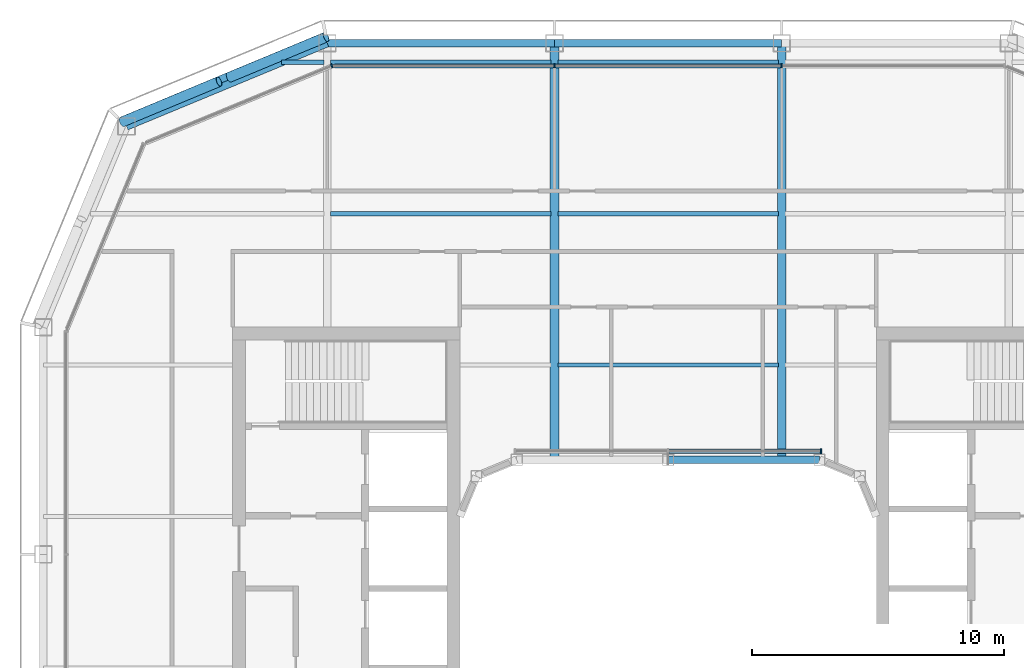
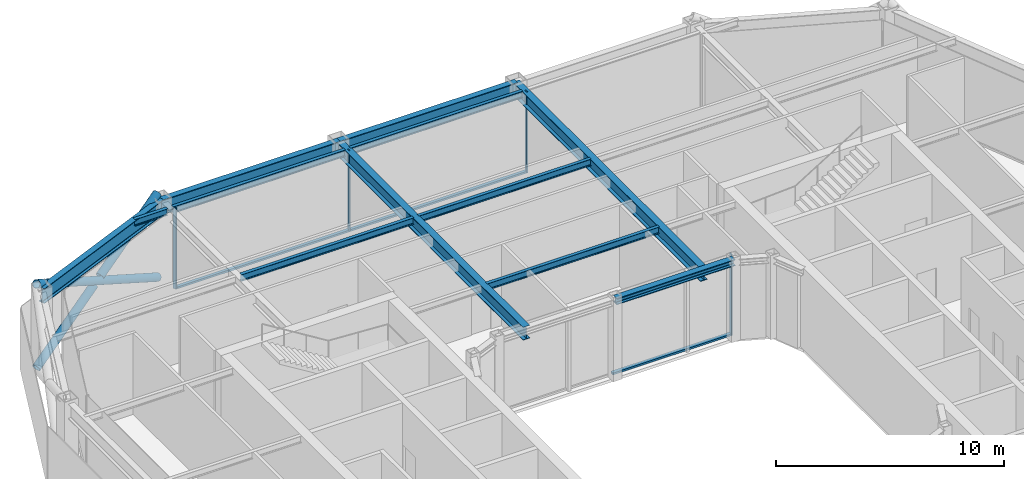
# One storey, part 8 of 18: 12 beams, 10 members, 3 elements without a shape of their own.
"""IFC4 building model written with IfcOpenShell, lengths in metres."""

from ifc_helpers import new_model, si_unit, direction, frame, origin, origin_2d, place, context, subcontext, project, spatial, rectangle, hollow_circle, i_section, extrude, material, layer, layer_set, material_profile, profile_set, type_object, element, aggregate, save


model = new_model("IFC4")

# Units and contexts
model_context = context("Model", 3, precision=1e-05, world=origin(), true_north=direction((0.0, 1.0)))
body_context = subcontext(model_context, "Body", "Model", "MODEL_VIEW")
ifc_project = project(units=[si_unit("LENGTHUNIT", "METRE"), si_unit("AREAUNIT", "SQUARE_METRE"), si_unit("VOLUMEUNIT", "CUBIC_METRE"), si_unit("PLANEANGLEUNIT", "RADIAN"), si_unit("MASSUNIT", "GRAM", prefix="KILO")], contexts=[model_context])

# Site, building, storey
site_placement = place(None, origin())
site = spatial("IfcSite", under=ifc_project, at=site_placement, CompositionType="ELEMENT")
building_placement = place(site_placement, origin())
building = spatial("IfcBuilding", under=site, at=building_placement, Name="Siwar Civic Tower", CompositionType="ELEMENT")
storey_placement = place(building_placement, frame((0.0, 0.0, 321.199951171875)))
storey = spatial("IfcBuildingStorey", under=building, at=storey_placement, Name="L69", CompositionType="ELEMENT", Elevation=321.199951171875)

# Curtain wall, members
ifc_material_1 = material(Name="Aluminium and glass", Category="aluminium")
ifc_layer_1 = layer(ifc_material_1, 0.159912109375)
ifc_layer_set_1 = layer_set([ifc_layer_1], Name="Aluminium and glass")
curtain_wall_type_1 = type_object("IfcCurtainWallType", Name="ENV-CW-D", PredefinedType="NOTDEFINED", material=ifc_layer_set_1)
curtain_wall_1_placement = place(storey_placement, origin())
curtain_wall_1 = element("IfcCurtainWall", 1, at=curtain_wall_1_placement, inside=storey, type_object=curtain_wall_type_1, Name="Curtain wall D N", PredefinedType="NOTDEFINED")
ifc_material_2 = material(Name="Aluminium 6063-T6", Category="aluminium")
ifc_material_profile_1 = material_profile(ifc_material_2, rectangle(XDim=0.159912109375, YDim=0.06005859375, at=origin_2d()), Name="AL 160x60")
ifc_profile_set_1 = profile_set([ifc_material_profile_1], Name="Aluminium 6063-T6")
member_type_1 = type_object("IfcMemberType", Name="ENV-MULLION-D", PredefinedType="MULLION", material=ifc_profile_set_1)
member_1_placement = place(storey_placement, frame((4.5, 23.85009765625, 0.0), z_axis=(0.0, 0.0, 1.0), x_axis=(0.0, -1.0, 0.0)))
member_1 = element("IfcMember", 2, at=member_1_placement, type_object=member_type_1, Name="Mullion D N 2", PredefinedType="MULLION", context=body_context, shape_type="SweptSolid", body=[
    extrude(rectangle(XDim=0.159912109375, YDim=0.06005859375, at=origin_2d()), origin(), (0.0, 0.0, 1.0), 4.35009765625),
])
member_2_placement = place(storey_placement, frame((-4.5, 23.85009765625, 0.0), z_axis=(0.0, 0.0, 1.0), x_axis=(0.0, -1.0, 0.0)))
member_2 = element("IfcMember", 3, at=member_2_placement, type_object=member_type_1, Name="Mullion D N 3", PredefinedType="MULLION", context=body_context, shape_type="SweptSolid", body=[
    extrude(rectangle(XDim=0.159912109375, YDim=0.06005859375, at=origin_2d()), origin(), (0.0, 0.0, 1.0), 4.35009765625),
])

# Curtain wall, member
ifc_material_3 = material(Name="Aluminium clad insulated panel", Category="aluminium")
ifc_layer_2 = layer(ifc_material_3, 0.159912109375)
ifc_layer_set_2 = layer_set([ifc_layer_2], Name="Aluminium clad insulated panel")
curtain_wall_type_2 = type_object("IfcCurtainWallType", Name="ENV-CW-DX", PredefinedType="NOTDEFINED", material=ifc_layer_set_2)
curtain_wall_2_placement = place(storey_placement, origin())
curtain_wall_2 = element("IfcCurtainWall", 4, at=curtain_wall_2_placement, inside=storey, type_object=curtain_wall_type_2, Name="Curtain wall D NW1", PredefinedType="NOTDEFINED")
member_3_placement = place(storey_placement, frame((-13.321044921875, 23.85009765625, 0.0), z_axis=(0.0, 0.0, 1.0), x_axis=(0.382683432365, -0.923879532511, 0.0)))
member_3 = element("IfcMember", 5, at=member_3_placement, type_object=member_type_1, Name="Mullion D NW1 1", PredefinedType="MULLION", context=body_context, shape_type="SweptSolid", body=[
    extrude(rectangle(XDim=0.159912109375, YDim=0.06005859375, at=origin_2d()), origin(), (0.0, 0.0, 1.0), 4.35009765625),
])
aggregate(curtain_wall_2, [member_3])

ifc_material_4 = material(Name="Aluminium and glass", Category="aluminium")
ifc_layer_3 = layer(ifc_material_4, 0.179931640625)
ifc_layer_set_3 = layer_set([ifc_layer_3], Name="Aluminium and glass")
curtain_wall_type_3 = type_object("IfcCurtainWallType", Name="ENV-CW-W", PredefinedType="NOTDEFINED", material=ifc_layer_set_3)
curtain_wall_3_placement = place(storey_placement, origin())
curtain_wall_3 = element("IfcCurtainWall", 6, at=curtain_wall_3_placement, inside=storey, type_object=curtain_wall_type_3, Name="Curtain wall W WN", PredefinedType="NOTDEFINED")
ifc_material_5 = material(Name="Aluminium 6063-T6", Category="aluminium")
ifc_material_profile_2 = material_profile(ifc_material_5, rectangle(XDim=0.179931640625, YDim=0.06005859375, at=origin_2d()), Name="AL 180x60")
ifc_profile_set_2 = profile_set([ifc_material_profile_2], Name="Aluminium 6063-T6")
member_type_2 = type_object("IfcMemberType", Name="ENV-MULLION-W", PredefinedType="MULLION", material=ifc_profile_set_2)
member_4_placement = place(storey_placement, frame((6.066650390625, 8.5849609375, 0.0), z_axis=(0.0, 0.0, 1.0), x_axis=(0.0, -1.0, 0.0)))
member_4 = element("IfcMember", 7, at=member_4_placement, type_object=member_type_2, Name="Mullion W WN 1", PredefinedType="MULLION", context=body_context, shape_type="SweptSolid", body=[
    extrude(rectangle(XDim=0.179931640625, YDim=0.06005859375, at=origin_2d()), origin(), (0.0, 0.0, 1.0), 4.35009765625),
])

# Member
ifc_material_6 = material(Name="Aluminium 6063-T6", Category="aluminium")
ifc_material_profile_3 = material_profile(ifc_material_6, rectangle(XDim=0.159912109375, YDim=0.10009765625, at=origin_2d()), Name="AL 160x100")
ifc_profile_set_3 = profile_set([ifc_material_profile_3], Name="Aluminium 6063-T6")
member_type_3 = type_object("IfcMemberType", Name="ENV-TRANSOM-D", PredefinedType="USERDEFINED", material=ifc_profile_set_3)
member_5_placement = place(storey_placement, frame((4.469970703125, 23.85009765625, 0.050048828125), z_axis=(-1.0, 0.0, 0.0), x_axis=(0.0, -1.0, 0.0)))
member_5 = element("IfcMember", 8, at=member_5_placement, type_object=member_type_3, Name="Transom D N 2", ObjectType="TRANSOM", PredefinedType="USERDEFINED", context=body_context, shape_type="SweptSolid", body=[
    extrude(rectangle(XDim=0.159912109375, YDim=0.10009765625, at=origin_2d()), origin(), (0.0, 0.0, 1.0), 8.93994140625),
])

member_6_placement = place(storey_placement, frame((-4.530029296875, 23.85009765625, 0.050048828125), z_axis=(-1.0, 0.0, 0.0), x_axis=(0.0, -1.0, 0.0)))
member_6 = element("IfcMember", 9, at=member_6_placement, type_object=member_type_3, Name="Transom D N 3", ObjectType="TRANSOM", PredefinedType="USERDEFINED", context=body_context, shape_type="SweptSolid", body=[
    extrude(rectangle(XDim=0.159912109375, YDim=0.10009765625, at=origin_2d()), origin(), (0.0, 0.0, 1.0), 8.693115234375),
])

aggregate(curtain_wall_1, [member_1, member_2, member_5, member_6])

ifc_material_7 = material(Name="Aluminium 6063-T6", Category="aluminium")
ifc_material_profile_4 = material_profile(ifc_material_7, rectangle(XDim=0.179931640625, YDim=0.10009765625, at=origin_2d()), Name="AL 180x100")
ifc_profile_set_4 = profile_set([ifc_material_profile_4], Name="Aluminium 6063-T6")
member_type_4 = type_object("IfcMemberType", Name="ENV-TRANSOM-W", PredefinedType="USERDEFINED", material=ifc_profile_set_4)
member_7_placement = place(storey_placement, frame((6.03662109375, 8.5849609375, 0.050048828125), z_axis=(-1.0, 0.0, 0.0), x_axis=(0.0, -1.0, 0.0)))
member_7 = element("IfcMember", 10, at=member_7_placement, type_object=member_type_4, Name="Transom W WN 1", ObjectType="TRANSOM", PredefinedType="USERDEFINED", context=body_context, shape_type="SweptSolid", body=[
    extrude(rectangle(XDim=0.179931640625, YDim=0.10009765625, at=origin_2d()), origin(), (0.0, 0.0, 1.0), 6.006591796875),
])

aggregate(curtain_wall_3, [member_4, member_7])

# Members
ifc_material_8 = material(Name="Steel S355", Category="steel")
ifc_material_profile_5 = material_profile(ifc_material_8, hollow_circle(Radius=0.203125, WallThickness=0.01611328125, at=origin_2d()), Name="CHS406.4x16")
ifc_profile_set_5 = profile_set([ifc_material_profile_5], Name="Steel S355")
member_type_5 = type_object("IfcMemberType", Name="STR-BR-CHS406.4x16", PredefinedType="BRACE", material=ifc_profile_set_5)
member_8_placement = place(storey_placement, frame((-13.548828125, 24.9951171875, 0.0), z_axis=(-0.821142553604, -0.341671493852, 0.457149315816), x_axis=(0.384163874976, -0.923264922524, 0.0)))
element("IfcMember", 11, at=member_8_placement, inside=storey, type_object=member_type_5, Name="L69/brc/DNW1-8-0-0", PredefinedType="BRACE", context=body_context, shape_type="SweptSolid", body=[
    extrude(hollow_circle(Radius=0.203125, WallThickness=0.01611328125, at=origin_2d()), origin(), (0.0, 0.0, 1.0), 9.843505859375),
])
member_9_placement = place(storey_placement, frame((-21.6318359375, 21.6318359375, 0.0), z_axis=(0.821147096886, 0.341644380467, 0.457161418507), x_axis=(-0.38413607648, 0.923276488787, 0.0)))
element("IfcMember", 12, at=member_9_placement, inside=storey, type_object=member_type_5, Name="L69/brc/DNW1-8-0-4", PredefinedType="BRACE", context=body_context, shape_type="SweptSolid", body=[
    extrude(hollow_circle(Radius=0.203125, WallThickness=0.01611328125, at=origin_2d()), origin(), (0.0, 0.0, 1.0), 4.677001953125),
])
member_10_placement = place(storey_placement, frame((-17.38916015625, 23.397216796875, 2.362060546875), z_axis=(0.821149689876, 0.341667178655, 0.457139722456), x_axis=(-0.384156893273, 0.923267827529, 0.0)))
element("IfcMember", 13, at=member_10_placement, inside=storey, type_object=member_type_5, Name="L69/brc/DNW1-8-0-5", PredefinedType="BRACE", context=body_context, shape_type="SweptSolid", body=[
    extrude(hollow_circle(Radius=0.203125, WallThickness=0.01611328125, at=origin_2d()), origin(), (0.0, 0.0, 1.0), 4.6767578125),
])

# Beams
ifc_material_9 = material(Name="Steel S355", Category="steel")
ifc_material_profile_6 = material_profile(ifc_material_9, i_section(OverallWidth=0.169921875, OverallDepth=0.360107421875, WebThickness=0.008056640625, FlangeThickness=0.0126953125, FilletRadius=0.01806640625, at=origin_2d()), Name="IPE360")
ifc_profile_set_6 = profile_set([ifc_material_profile_6], Name="Steel S355")
beam_type_1 = type_object("IfcBeamType", Name="STR-FB-IPE360", PredefinedType="JOIST", material=ifc_profile_set_6)
for number, where, z_axis, x_axis, name in (
    (14, (-4.3701171875, 12.0, 4.170166015625), (1.0, 0.0, 0.0), (0.0, 1.0, 0.0), "L69/bm/F024"),
    (15, (-13.3701171875, 18.0, 4.170166015625), (1.0, 0.0, 0.0), (0.0, 1.0, 0.0), "L69/bm/F028"),
    (16, (-4.3701171875, 18.0, 4.170166015625), (1.0, 0.0, 0.0), (0.0, 1.0, 0.0), "L69/bm/F029"),
):
    element("IfcBeam", number, at=place(storey_placement, frame(where, z_axis=z_axis, x_axis=x_axis)), inside=storey, type_object=beam_type_1, Name=name, PredefinedType="JOIST", context=body_context, shape_type="SweptSolid", body=[
        extrude(i_section(OverallWidth=0.169921875, OverallDepth=0.360107421875, WebThickness=0.008056640625, FlangeThickness=0.0126953125, FilletRadius=0.01806640625, at=origin_2d()), origin(), (0.0, 0.0, 1.0), 8.740234375),
    ])
beam_1_placement = place(storey_placement, frame((-15.310546875, 24.0, 4.170166015625), z_axis=(1.0, 0.0, 0.0), x_axis=(0.0, 1.0, 0.0)))
element("IfcBeam", 17, at=beam_1_placement, inside=storey, type_object=beam_type_1, Name="L69/bm/F032", PredefinedType="JOIST", context=body_context, shape_type="SweptSolid", body=[
    extrude(i_section(OverallWidth=0.169921875, OverallDepth=0.360107421875, WebThickness=0.008056640625, FlangeThickness=0.0126953125, FilletRadius=0.01806640625, at=origin_2d()), origin(), (0.0, 0.0, 1.0), 1.6806640625),
])
for number, where, z_axis, x_axis, name in (
    (18, (-13.3701171875, 24.0, 4.170166015625), (1.0, 0.0, 0.0), (0.0, 1.0, 0.0), "L69/bm/F033"),
    (19, (-4.3701171875, 24.0, 4.170166015625), (1.0, 0.0, 0.0), (0.0, 1.0, 0.0), "L69/bm/F034"),
):
    element("IfcBeam", number, at=place(storey_placement, frame(where, z_axis=z_axis, x_axis=x_axis)), inside=storey, type_object=beam_type_1, Name=name, PredefinedType="JOIST", context=body_context, shape_type="SweptSolid", body=[
        extrude(i_section(OverallWidth=0.169921875, OverallDepth=0.360107421875, WebThickness=0.008056640625, FlangeThickness=0.0126953125, FilletRadius=0.01806640625, at=origin_2d()), origin(), (0.0, 0.0, 1.0), 8.740234375),
    ])
ifc_material_10 = material(Name="Steel S355", Category="steel")
ifc_material_profile_7 = material_profile(ifc_material_10, i_section(OverallWidth=0.340087890625, OverallDepth=0.699951171875, WebThickness=0.013916015625, FlangeThickness=0.030029296875, at=origin_2d()), Name="PG700x340x14x30")
ifc_profile_set_7 = profile_set([ifc_material_profile_7], Name="Steel S355")
beam_type_2 = type_object("IfcBeamType", Name="STR-PG-PG700x340x14x30", PredefinedType="BEAM", material=ifc_profile_set_7)
for number, where, z_axis, x_axis, name in (
    (20, (-4.5, 8.25, 4.0), (0.0, 1.0, 0.0), (-1.0, 0.0, 0.0), "L69/bm/G04"),
    (21, (4.5, 8.25, 4.0), (0.0, 1.0, 0.0), (-1.0, 0.0, 0.0), "L69/bm/G06"),
):
    element("IfcBeam", number, at=place(storey_placement, frame(where, z_axis=z_axis, x_axis=x_axis)), inside=storey, type_object=beam_type_2, Name=name, PredefinedType="BEAM", context=body_context, shape_type="SweptSolid", body=[
        extrude(i_section(OverallWidth=0.340087890625, OverallDepth=0.699951171875, WebThickness=0.013916015625, FlangeThickness=0.030029296875, at=origin_2d()), origin(), (0.0, 0.0, 1.0), 16.5),
    ])
ifc_material_11 = material(Name="Steel S355", Category="steel")
ifc_material_profile_8 = material_profile(ifc_material_11, i_section(OverallWidth=0.31005859375, OverallDepth=0.340087890625, WebThickness=0.02099609375, FlangeThickness=0.0390625, FilletRadius=0.027099609375, at=origin_2d()), Name="HEM300")
ifc_profile_set_8 = profile_set([ifc_material_profile_8], Name="Steel S355")
beam_type_3 = type_object("IfcBeamType", Name="STR-RB-HEM300", PredefinedType="BEAM", material=ifc_profile_set_8)
beam_2_placement = place(storey_placement, frame((0.0, 8.25, 4.179931640625), z_axis=(1.0, 0.0, 0.0), x_axis=(0.0, 1.0, 0.0)))
element("IfcBeam", 22, at=beam_2_placement, inside=storey, type_object=beam_type_3, Name="L69/bm/RN2", PredefinedType="BEAM", context=body_context, shape_type="SweptSolid", body=[
    extrude(i_section(OverallWidth=0.31005859375, OverallDepth=0.340087890625, WebThickness=0.02099609375, FlangeThickness=0.0390625, FilletRadius=0.027099609375, at=origin_2d()), origin(), (0.0, 0.0, 1.0), 6.0),
])
ifc_material_12 = material(Name="Steel S355", Category="steel")
ifc_material_profile_9 = material_profile(ifc_material_12, i_section(OverallWidth=0.300048828125, OverallDepth=0.800048828125, WebThickness=0.017578125, FlangeThickness=0.032958984375, FilletRadius=0.030029296875, at=origin_2d()), Name="HEB800")
ifc_profile_set_9 = profile_set([ifc_material_profile_9], Name="Steel S355")
beam_type_4 = type_object("IfcBeamType", Name="STR-SB-HEB800", PredefinedType="BEAM", material=ifc_profile_set_9)
for number, where, z_axis, x_axis, name in (
    (23, (4.5, 24.75, 3.949951171875), (-1.0, 0.0, 0.0), (0.0, -1.0, 0.0), "L69/bm/SN-1"),
    (24, (-4.5, 24.75, 3.949951171875), (-1.0, 0.0, 0.0), (0.0, -1.0, 0.0), "L69/bm/SN-2"),
):
    element("IfcBeam", number, at=place(storey_placement, frame(where, z_axis=z_axis, x_axis=x_axis)), inside=storey, type_object=beam_type_4, Name=name, PredefinedType="BEAM", context=body_context, shape_type="SweptSolid", body=[
        extrude(i_section(OverallWidth=0.300048828125, OverallDepth=0.800048828125, WebThickness=0.017578125, FlangeThickness=0.032958984375, FilletRadius=0.030029296875, at=origin_2d()), origin(), (0.0, 0.0, 1.0), 9.0),
    ])
beam_3_placement = place(storey_placement, frame((-13.5, 24.75, 3.949951171875), z_axis=(-0.923872720536, -0.382699877515, 0.0), x_axis=(0.382699877515, -0.923872720536, 0.0)))
element("IfcBeam", 25, at=beam_3_placement, inside=storey, type_object=beam_type_4, Name="L69/bm/SNW1-0", PredefinedType="BEAM", context=body_context, shape_type="SweptSolid", body=[
    extrude(i_section(OverallWidth=0.300048828125, OverallDepth=0.800048828125, WebThickness=0.017578125, FlangeThickness=0.032958984375, FilletRadius=0.030029296875, at=origin_2d()), origin(), (0.0, 0.0, 1.0), 8.6103515625),
])

save(model, "model.ifc")
